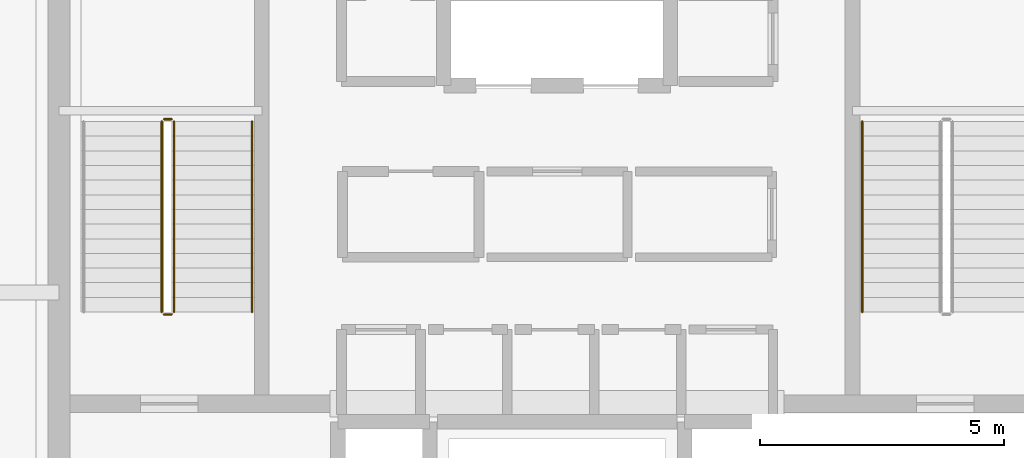
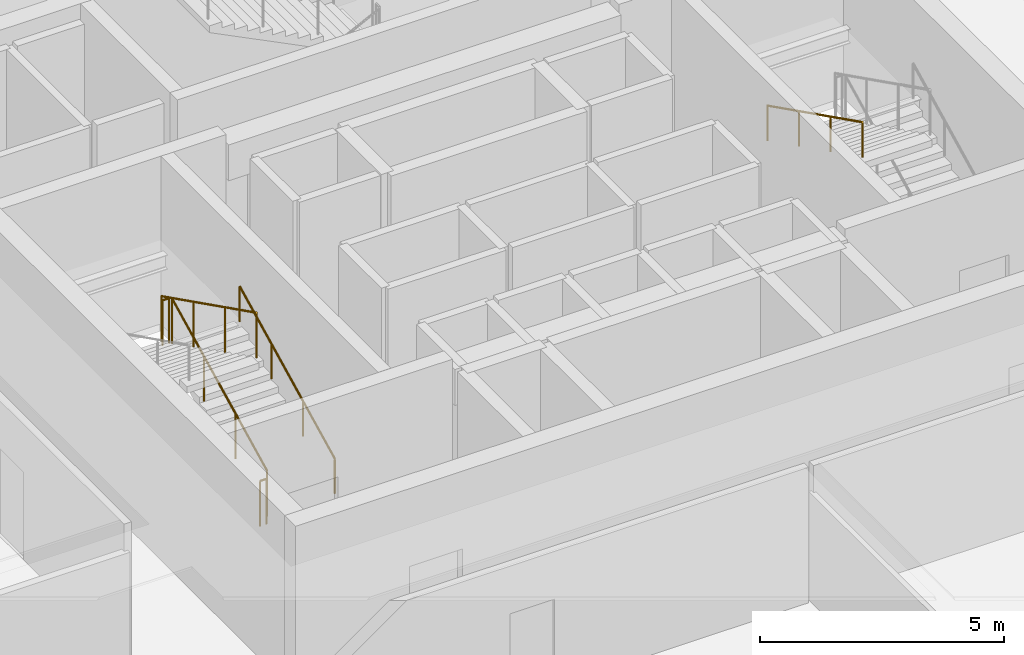
# One storey, part 40 of 43: 6 railings.
"""IFC4 building model written with IfcOpenShell, lengths in metres."""

from ifc_helpers import new_model, si_unit, direction, frame, origin, origin_2d, place, context, subcontext, project, spatial, circle, extrude, material, type_object, element, save


model = new_model("IFC4")

# Units and contexts
model_context = context("Model", 3, precision=1e-05, world=origin(), true_north=direction((0.0, 1.0)))
body_context = subcontext(model_context, "Body", "Model", "MODEL_VIEW")
ifc_project = project(units=[si_unit("LENGTHUNIT", "METRE"), si_unit("AREAUNIT", "SQUARE_METRE"), si_unit("VOLUMEUNIT", "CUBIC_METRE"), si_unit("PLANEANGLEUNIT", "RADIAN"), si_unit("MASSUNIT", "GRAM", prefix="KILO")], contexts=[model_context])

# Site, building, storey
site_placement = place(None, origin())
site = spatial("IfcSite", under=ifc_project, at=site_placement, CompositionType="ELEMENT")
building_placement = place(site_placement, origin())
building = spatial("IfcBuilding", under=site, at=building_placement, Name="Punatoya Terracotta Tower", CompositionType="ELEMENT")
storey_placement = place(building_placement, frame((0.0, 0.0, 321.60009765625)))
storey = spatial("IfcBuildingStorey", under=building, at=storey_placement, Name="L76", CompositionType="ELEMENT", Elevation=321.60009765625)

# Railings
ifc_material = material(Name="Steel S355", Category="steel")
railing_type_1 = type_object("IfcRailingType", Name="RLG-GRD-1150", PredefinedType="GUARDRAIL", material=ifc_material)
railing_1_placement = place(storey_placement, frame((-7.85009765625, -3.800048828125, 0.14990234375)))
element("IfcRailing", 1, at=railing_1_placement, inside=storey, type_object=railing_type_1, Name="L76 ST-1 stair guard 1", PredefinedType="GUARDRAIL", context=body_context, shape_type="SweptSolid", body=[
    extrude(circle(Radius=0.02392578125, at=origin_2d()), frame((0.0, 0.0, 1.1259765625), z_axis=(0.0, 0.894438388696, 0.447191199406), x_axis=(-1.0, 0.0, 0.0)), (0.0, 0.0, 1.0), 4.3603515625),
    extrude(circle(Radius=0.02099609375, at=origin_2d()), origin(), (0.0, 0.0, 1.0), 1.101806640625),
    extrude(circle(Radius=0.02099609375, at=origin_2d()), frame((0.0, 1.300048828125, 0.64990234375)), (0.0, 0.0, 1.0), 1.101806640625),
    extrude(circle(Radius=0.02099609375, at=origin_2d()), frame((0.0, 2.60009765625, 1.300048828125)), (0.0, 0.0, 1.0), 1.101806640625),
    extrude(circle(Radius=0.02099609375, at=origin_2d()), frame((0.0, 3.900146484375, 1.949951171875)), (0.0, 0.0, 1.0), 1.101806640625),
])
railing_2_placement = place(storey_placement, frame((-7.89990234375, 0.14990234375, 2.099853515625)))
element("IfcRailing", 2, at=railing_2_placement, inside=storey, type_object=railing_type_1, Name="L76 ST-1 stair guard 2", PredefinedType="GUARDRAIL", context=body_context, shape_type="SweptSolid", body=[
    extrude(circle(Radius=0.02392578125, at=origin_2d()), frame((0.0, 0.0, 1.1259765625), z_axis=(-1.0, 0.0, 0.0), x_axis=(0.0, -1.0, 0.0)), (0.0, 0.0, 1.0), 0.150146484375),
    extrude(circle(Radius=0.02099609375, at=origin_2d()), origin(), (0.0, 0.0, 1.0), 1.101806640625),
    extrude(circle(Radius=0.02099609375, at=origin_2d()), frame((-0.150146484375, 0.0, 0.0)), (0.0, 0.0, 1.0), 1.101806640625),
])
railing_3_placement = place(storey_placement, frame((-8.10009765625, 0.10009765625, 2.25)))
element("IfcRailing", 3, at=railing_3_placement, inside=storey, type_object=railing_type_1, Name="L76 ST-1 stair guard 3", PredefinedType="GUARDRAIL", context=body_context, shape_type="SweptSolid", body=[
    extrude(circle(Radius=0.02392578125, at=origin_2d()), frame((0.0, 0.0, 1.1259765625), z_axis=(0.0, -0.894438388696, 0.447191199406), x_axis=(1.0, 0.0, 0.0)), (0.0, 0.0, 1.0), 4.3603515625),
    extrude(circle(Radius=0.02099609375, at=origin_2d()), origin(), (0.0, 0.0, 1.0), 1.101806640625),
    extrude(circle(Radius=0.02099609375, at=origin_2d()), frame((0.0, -1.300048828125, 0.64990234375)), (0.0, 0.0, 1.0), 1.101806640625),
    extrude(circle(Radius=0.02099609375, at=origin_2d()), frame((0.0, -2.60009765625, 1.300048828125)), (0.0, 0.0, 1.0), 1.101806640625),
    extrude(circle(Radius=0.02099609375, at=origin_2d()), frame((0.0, -3.900146484375, 1.949951171875)), (0.0, 0.0, 1.0), 1.101806640625),
])
railing_4_placement = place(storey_placement, frame((-7.89990234375, -3.85009765625, 0.0)))
element("IfcRailing", 4, at=railing_4_placement, inside=storey, type_object=railing_type_1, Name="L76 ST-1 stair guard 4", PredefinedType="GUARDRAIL", context=body_context, shape_type="SweptSolid", body=[
    extrude(circle(Radius=0.02392578125, at=origin_2d()), frame((0.0, 0.0, 1.1259765625), z_axis=(-1.0, 0.0, 0.0), x_axis=(0.0, -1.0, 0.0)), (0.0, 0.0, 1.0), 0.150146484375),
    extrude(circle(Radius=0.02099609375, at=origin_2d()), origin(), (0.0, 0.0, 1.0), 1.101806640625),
    extrude(circle(Radius=0.02099609375, at=origin_2d()), frame((-0.150146484375, 0.0, 0.0)), (0.0, 0.0, 1.0), 1.101806640625),
])
railing_type_2 = type_object("IfcRailingType", Name="RLG-HND-900", PredefinedType="HANDRAIL", material=ifc_material)
railing_5_placement = place(storey_placement, frame((-6.25, -3.800048828125, 0.14990234375)))
element("IfcRailing", 5, at=railing_5_placement, inside=storey, type_object=railing_type_2, Name="L76 ST-1 stair handrail 1", PredefinedType="HANDRAIL", context=body_context, shape_type="SweptSolid", body=[
    extrude(circle(Radius=0.02392578125, at=origin_2d()), frame((0.0, 0.0, 0.8759765625), z_axis=(0.0, 0.894438388696, 0.447191199406), x_axis=(-1.0, 0.0, 0.0)), (0.0, 0.0, 1.0), 4.3603515625),
    extrude(circle(Radius=0.02099609375, at=origin_2d()), origin(), (0.0, 0.0, 1.0), 0.851806640625),
    extrude(circle(Radius=0.02099609375, at=origin_2d()), frame((0.0, 1.300048828125, 0.64990234375)), (0.0, 0.0, 1.0), 0.851806640625),
    extrude(circle(Radius=0.02099609375, at=origin_2d()), frame((0.0, 2.60009765625, 1.300048828125)), (0.0, 0.0, 1.0), 0.851806640625),
    extrude(circle(Radius=0.02099609375, at=origin_2d()), frame((0.0, 3.900146484375, 1.949951171875)), (0.0, 0.0, 1.0), 0.851806640625),
])
railing_6_placement = place(storey_placement, frame((6.25, 0.10009765625, 2.25)))
element("IfcRailing", 6, at=railing_6_placement, inside=storey, type_object=railing_type_2, Name="L76 ST-2 stair handrail 2", PredefinedType="HANDRAIL", context=body_context, shape_type="SweptSolid", body=[
    extrude(circle(Radius=0.02392578125, at=origin_2d()), frame((0.0, 0.0, 0.8759765625), z_axis=(0.0, -0.894438388696, 0.447191199406), x_axis=(1.0, 0.0, 0.0)), (0.0, 0.0, 1.0), 4.3603515625),
    extrude(circle(Radius=0.02099609375, at=origin_2d()), origin(), (0.0, 0.0, 1.0), 0.851806640625),
    extrude(circle(Radius=0.02099609375, at=origin_2d()), frame((0.0, -1.300048828125, 0.64990234375)), (0.0, 0.0, 1.0), 0.851806640625),
    extrude(circle(Radius=0.02099609375, at=origin_2d()), frame((0.0, -2.60009765625, 1.300048828125)), (0.0, 0.0, 1.0), 0.851806640625),
    extrude(circle(Radius=0.02099609375, at=origin_2d()), frame((0.0, -3.900146484375, 1.949951171875)), (0.0, 0.0, 1.0), 0.851806640625),
])

save(model, "model.ifc")
